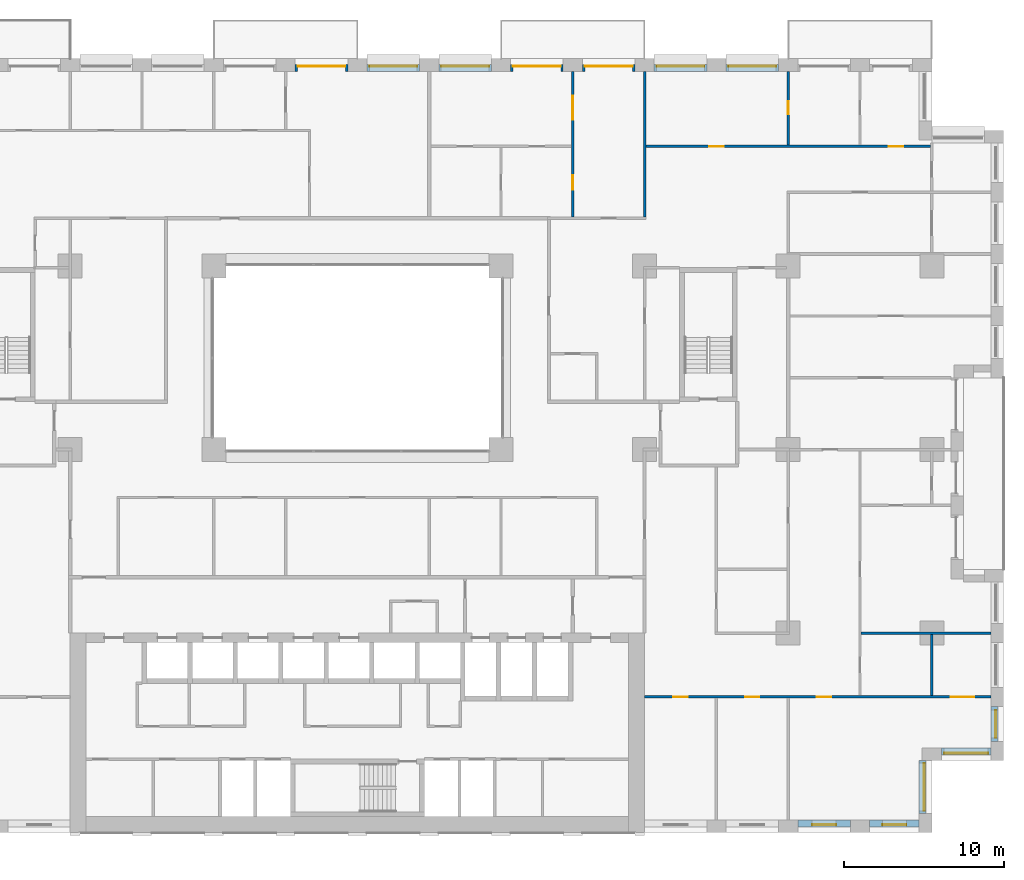
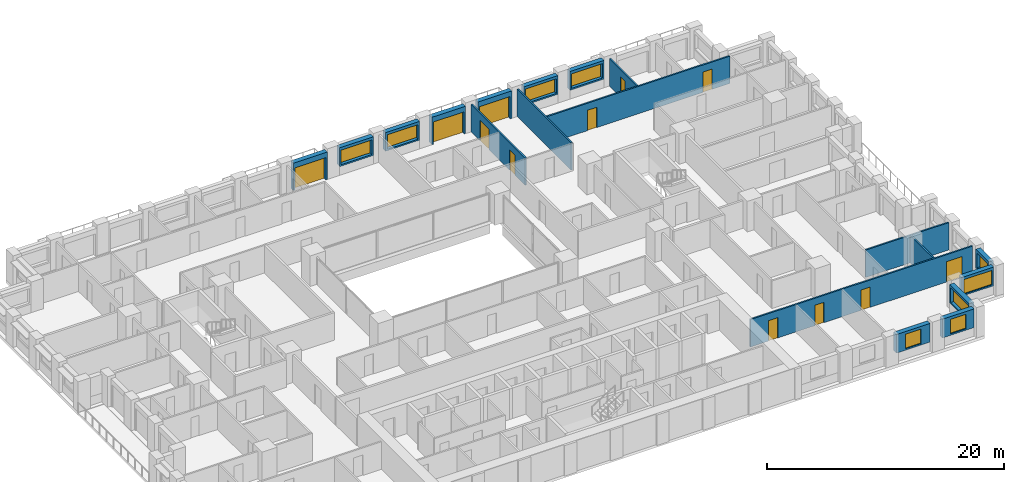
# One storey, part 16 of 20: 19 walls, 12 doors, 9 windows, 21 openings.
"""IFC4 building model written with IfcOpenShell, lengths in metres."""

from ifc_helpers import new_model, si_unit, direction, frame, frame_2d, origin, place, context, subcontext, project, spatial, rectangle, extrude, material, layer, layer_set, type_object, element, fill, save


model = new_model("IFC4")

# Units and contexts
model_context = context("Model", 3, precision=1e-05, world=origin(), true_north=direction((0.0, 1.0)))
body_context = subcontext(model_context, "Body", "Model", "MODEL_VIEW")
ifc_project = project(units=[si_unit("LENGTHUNIT", "METRE"), si_unit("AREAUNIT", "SQUARE_METRE"), si_unit("VOLUMEUNIT", "CUBIC_METRE"), si_unit("PLANEANGLEUNIT", "RADIAN"), si_unit("MASSUNIT", "GRAM", prefix="KILO")], contexts=[model_context])

# Site, building, storey
site_placement = place(None, origin())
site = spatial("IfcSite", under=ifc_project, at=site_placement, CompositionType="ELEMENT")
building_placement = place(site_placement, origin())
building = spatial("IfcBuilding", under=site, at=building_placement, Name="Brigalow Station Residences", CompositionType="ELEMENT")
storey_placement = place(building_placement, frame((0.0, 0.0, 38.39990234375)))
storey = spatial("IfcBuildingStorey", under=building, at=storey_placement, Name="L10", CompositionType="ELEMENT", Elevation=38.39990234375)

# Wall, opening, window
ifc_material_1 = material(Name="Clay brick masonry", Category="masonry")
ifc_layer_1 = layer(ifc_material_1, 0.449951171875)
ifc_layer_set_1 = layer_set([ifc_layer_1], Name="BRICK INFILL WALL 450")
wall_type_1 = type_object("IfcWallType", Name="BRICK INFILL WALL 450", PredefinedType="SOLIDWALL", material=ifc_layer_set_1)
wall_1_placement = place(storey_placement, frame((63.60009765625, 0.574951171875, 0.900146484375), z_axis=(0.0, 0.0, 1.0), x_axis=(1.0, 0.0, 0.0)))
wall_1 = element("IfcWall", 1, at=wall_1_placement, inside=storey, type_object=wall_type_1, Name="L10/ewall/W-L10-7", PredefinedType="SOLIDWALL", context=body_context, shape_type="SweptSolid", body=[
    extrude(rectangle(XDim=3.2998046875, YDim=0.449951171875, at=frame_2d((1.64990234375, 0.0))), origin(), (0.0, 0.0, 1.0), 1.929931640625),
])
opening_1_placement = place(wall_1_placement, frame((0.89990234375, 0.0, 0.14990234375)))
opening_1 = element("IfcOpeningElement", 2, at=opening_1_placement, cuts=wall_1, Name="Opening WT-1", PredefinedType="OPENING", context=body_context, shape_type="SweptSolid", body=[
    extrude(rectangle(XDim=1.5, YDim=1.5, at=frame_2d((0.75, 0.75))), frame((0.0, 0.23486328125, 0.0), z_axis=(0.0, -1.0, 0.0), x_axis=(1.0, 0.0, 0.0)), (0.0, 0.0, 1.0), 0.469970703125),
])
ifc_material_2 = material(Name="Anodised aluminium frame with double glazing", Category="aluminium")
window_type_1 = type_object("IfcWindowType", Name="WINDOW 1500x1500", PartitioningType="SINGLE_PANEL", PredefinedType="WINDOW", material=ifc_material_2)
window_1_placement = place(opening_1_placement, origin())
window_1 = element("IfcWindow", 3, at=window_1_placement, inside=storey, type_object=window_type_1, Name="L10/window/W-L10-7", OverallHeight=1.5, OverallWidth=1.5, PartitioningType="SINGLE_PANEL", PredefinedType="WINDOW", context=body_context, shape_type="SweptSolid", body=[
    extrude(rectangle(XDim=1.5, YDim=1.5, at=frame_2d((0.75, 0.75))), frame((0.0, -0.06494140625, 0.0), z_axis=(0.0, -1.0, 0.0), x_axis=(1.0, 0.0, 0.0)), (0.0, 0.0, 1.0), 0.06005859375),
])
fill(opening_1, window_1)

wall_2_placement = place(storey_placement, frame((68.10009765625, 0.574951171875, 0.900146484375), z_axis=(0.0, 0.0, 1.0), x_axis=(1.0, 0.0, 0.0)))
wall_2 = element("IfcWall", 4, at=wall_2_placement, inside=storey, type_object=wall_type_1, Name="L10/ewall/W-L10-8", PredefinedType="SOLIDWALL", context=body_context, shape_type="SweptSolid", body=[
    extrude(rectangle(XDim=3.099853515625, YDim=0.449951171875, at=frame_2d((1.5498046875, 0.0))), origin(), (0.0, 0.0, 1.0), 1.929931640625),
])
opening_2_placement = place(wall_2_placement, frame((0.800048828125, 0.0, 0.14990234375)))
opening_2 = element("IfcOpeningElement", 5, at=opening_2_placement, cuts=wall_2, Name="Opening WT-1", PredefinedType="OPENING", context=body_context, shape_type="SweptSolid", body=[
    extrude(rectangle(XDim=1.5, YDim=1.5, at=frame_2d((0.75, 0.75))), frame((0.0, 0.23486328125, 0.0), z_axis=(0.0, -1.0, 0.0), x_axis=(1.0, 0.0, 0.0)), (0.0, 0.0, 1.0), 0.469970703125),
])
window_2_placement = place(opening_2_placement, origin())
window_2 = element("IfcWindow", 6, at=window_2_placement, inside=storey, type_object=window_type_1, Name="L10/window/W-L10-8", OverallHeight=1.5, OverallWidth=1.5, PartitioningType="SINGLE_PANEL", PredefinedType="WINDOW", context=body_context, shape_type="SweptSolid", body=[
    extrude(rectangle(XDim=1.5, YDim=1.5, at=frame_2d((0.75, 0.75))), frame((0.0, -0.06494140625, 0.0), z_axis=(0.0, -1.0, 0.0), x_axis=(1.0, 0.0, 0.0)), (0.0, 0.0, 1.0), 0.06005859375),
])
fill(opening_2, window_2)

wall_3_placement = place(storey_placement, frame((71.425048828125, 1.199951171875, 0.900146484375), z_axis=(0.0, 0.0, 1.0), x_axis=(0.0, 1.0, 0.0)))
wall_3 = element("IfcWall", 7, at=wall_3_placement, inside=storey, type_object=wall_type_1, Name="L10/ewall/W-L10-9", PredefinedType="SOLIDWALL", context=body_context, shape_type="SweptSolid", body=[
    extrude(rectangle(XDim=3.300048828125, YDim=0.449951171875, at=frame_2d((1.64990234375, 0.0))), origin(), (0.0, 0.0, 1.0), 1.929931640625),
])
opening_3_placement = place(wall_3_placement, frame((0.14990234375, 0.0, 0.14990234375)))
opening_3 = element("IfcOpeningElement", 8, at=opening_3_placement, cuts=wall_3, Name="Opening WT-2", PredefinedType="OPENING", context=body_context, shape_type="SweptSolid", body=[
    extrude(rectangle(XDim=3.0, YDim=1.5, at=frame_2d((1.5, 0.75))), frame((0.0, 0.23486328125, 0.0), z_axis=(0.0, -1.0, 0.0), x_axis=(1.0, 0.0, 0.0)), (0.0, 0.0, 1.0), 0.469970703125),
])
ifc_material_3 = material(Name="Anodised aluminium frame with double glazing", Category="aluminium")
window_type_2 = type_object("IfcWindowType", Name="WINDOW 3000x1500", PartitioningType="SINGLE_PANEL", PredefinedType="WINDOW", material=ifc_material_3)
window_3_placement = place(opening_3_placement, origin())
window_3 = element("IfcWindow", 9, at=window_3_placement, inside=storey, type_object=window_type_2, Name="L10/window/W-L10-9", OverallHeight=1.5, OverallWidth=3.0, PartitioningType="SINGLE_PANEL", PredefinedType="WINDOW", context=body_context, shape_type="SweptSolid", body=[
    extrude(rectangle(XDim=3.0, YDim=1.5, at=frame_2d((1.5, 0.75))), frame((0.0, -0.06494140625, 0.0), z_axis=(0.0, -1.0, 0.0), x_axis=(1.0, 0.0, 0.0)), (0.0, 0.0, 1.0), 0.06005859375),
])
fill(opening_3, window_3)

wall_4_placement = place(storey_placement, frame((72.60009765625, 5.074951171875, 0.900146484375), z_axis=(0.0, 0.0, 1.0), x_axis=(1.0, 0.0, 0.0)))
wall_4 = element("IfcWall", 10, at=wall_4_placement, inside=storey, type_object=wall_type_1, Name="L10/ewall/W-L10-10", PredefinedType="SOLIDWALL", context=body_context, shape_type="SweptSolid", body=[
    extrude(rectangle(XDim=3.099853515625, YDim=0.449951171875, at=frame_2d((1.5498046875, 0.0))), origin(), (0.0, 0.0, 1.0), 1.929931640625),
])
opening_4_placement = place(wall_4_placement, frame((0.175048828125, 0.0, 0.14990234375)))
opening_4 = element("IfcOpeningElement", 11, at=opening_4_placement, cuts=wall_4, Name="Opening WT-3", PredefinedType="OPENING", context=body_context, shape_type="SweptSolid", body=[
    extrude(rectangle(XDim=2.75, YDim=1.5, at=frame_2d((1.375, 0.75))), frame((0.0, 0.23486328125, 0.0), z_axis=(0.0, -1.0, 0.0), x_axis=(1.0, 0.0, 0.0)), (0.0, 0.0, 1.0), 0.469970703125),
])
ifc_material_4 = material(Name="Anodised aluminium frame with double glazing", Category="aluminium")
window_type_3 = type_object("IfcWindowType", Name="WINDOW 2750x1500", PartitioningType="SINGLE_PANEL", PredefinedType="WINDOW", material=ifc_material_4)
window_4_placement = place(opening_4_placement, origin())
window_4 = element("IfcWindow", 12, at=window_4_placement, inside=storey, type_object=window_type_3, Name="L10/window/W-L10-10", OverallHeight=1.5, OverallWidth=2.75, PartitioningType="SINGLE_PANEL", PredefinedType="WINDOW", context=body_context, shape_type="SweptSolid", body=[
    extrude(rectangle(XDim=2.75, YDim=1.5, at=frame_2d((1.375, 0.75))), frame((0.0, -0.06494140625, 0.0), z_axis=(0.0, -1.0, 0.0), x_axis=(1.0, 0.0, 0.0)), (0.0, 0.0, 1.0), 0.06005859375),
])
fill(opening_4, window_4)

wall_5_placement = place(storey_placement, frame((75.925048828125, 5.699951171875, 0.900146484375), z_axis=(0.0, 0.0, 1.0), x_axis=(0.0, 1.0, 0.0)))
wall_5 = element("IfcWall", 13, at=wall_5_placement, inside=storey, type_object=wall_type_1, Name="L10/ewall/W-L10-11", PredefinedType="SOLIDWALL", context=body_context, shape_type="SweptSolid", body=[
    extrude(rectangle(XDim=2.199951171875, YDim=0.449951171875, at=frame_2d((1.10009765625, 0.0))), origin(), (0.0, 0.0, 1.0), 1.929931640625),
])
opening_5_placement = place(wall_5_placement, frame((0.22509765625, 0.0, 0.14990234375)))
opening_5 = element("IfcOpeningElement", 14, at=opening_5_placement, cuts=wall_5, Name="Opening WT-4", PredefinedType="OPENING", context=body_context, shape_type="SweptSolid", body=[
    extrude(rectangle(XDim=1.75, YDim=1.5, at=frame_2d((0.875, 0.75))), frame((0.0, 0.23486328125, 0.0), z_axis=(0.0, -1.0, 0.0), x_axis=(1.0, 0.0, 0.0)), (0.0, 0.0, 1.0), 0.469970703125),
])
ifc_material_5 = material(Name="Anodised aluminium frame with double glazing", Category="aluminium")
window_type_4 = type_object("IfcWindowType", Name="WINDOW 1750x1500", PartitioningType="SINGLE_PANEL", PredefinedType="WINDOW", material=ifc_material_5)
window_5_placement = place(opening_5_placement, origin())
window_5 = element("IfcWindow", 15, at=window_5_placement, inside=storey, type_object=window_type_4, Name="L10/window/W-L10-11", OverallHeight=1.5, OverallWidth=1.75, PartitioningType="SINGLE_PANEL", PredefinedType="WINDOW", context=body_context, shape_type="SweptSolid", body=[
    extrude(rectangle(XDim=1.75, YDim=1.5, at=frame_2d((0.875, 0.75))), frame((0.0, -0.06494140625, 0.0), z_axis=(0.0, -1.0, 0.0), x_axis=(1.0, 0.0, 0.0)), (0.0, 0.0, 1.0), 0.06005859375),
])
fill(opening_5, window_5)

wall_6_placement = place(storey_placement, frame((62.39990234375, 47.925048828125, 0.900146484375), z_axis=(0.0, 0.0, 1.0), x_axis=(-1.0, 0.0, 0.0)))
wall_6 = element("IfcWall", 16, at=wall_6_placement, inside=storey, type_object=wall_type_1, Name="L10/ewall/W-L10-27", PredefinedType="SOLIDWALL", context=body_context, shape_type="SweptSolid", body=[
    extrude(rectangle(XDim=3.2998046875, YDim=0.449951171875, at=frame_2d((1.64990234375, 0.0))), origin(), (0.0, 0.0, 1.0), 1.929931640625),
])
opening_6_placement = place(wall_6_placement, frame((0.14990234375, 0.0, 0.14990234375)))
opening_6 = element("IfcOpeningElement", 17, at=opening_6_placement, cuts=wall_6, Name="Opening WT-2", PredefinedType="OPENING", context=body_context, shape_type="SweptSolid", body=[
    extrude(rectangle(XDim=3.0, YDim=1.5, at=frame_2d((1.5, 0.75))), frame((0.0, 0.23486328125, 0.0), z_axis=(0.0, -1.0, 0.0), x_axis=(1.0, 0.0, 0.0)), (0.0, 0.0, 1.0), 0.469970703125),
])
window_6_placement = place(opening_6_placement, origin())
window_6 = element("IfcWindow", 18, at=window_6_placement, inside=storey, type_object=window_type_2, Name="L10/window/W-L10-27", OverallHeight=1.5, OverallWidth=3.0, PartitioningType="SINGLE_PANEL", PredefinedType="WINDOW", context=body_context, shape_type="SweptSolid", body=[
    extrude(rectangle(XDim=3.0, YDim=1.5, at=frame_2d((1.5, 0.75))), frame((0.0, -0.06494140625, 0.0), z_axis=(0.0, -1.0, 0.0), x_axis=(1.0, 0.0, 0.0)), (0.0, 0.0, 1.0), 0.06005859375),
])
fill(opening_6, window_6)

wall_7_placement = place(storey_placement, frame((57.89990234375, 47.925048828125, 0.900146484375), z_axis=(0.0, 0.0, 1.0), x_axis=(-1.0, 0.0, 0.0)))
wall_7 = element("IfcWall", 19, at=wall_7_placement, inside=storey, type_object=wall_type_1, Name="L10/ewall/W-L10-28", PredefinedType="SOLIDWALL", context=body_context, shape_type="SweptSolid", body=[
    extrude(rectangle(XDim=3.2998046875, YDim=0.449951171875, at=frame_2d((1.64990234375, 0.0))), origin(), (0.0, 0.0, 1.0), 1.929931640625),
])
opening_7_placement = place(wall_7_placement, frame((0.14990234375, 0.0, 0.14990234375)))
opening_7 = element("IfcOpeningElement", 20, at=opening_7_placement, cuts=wall_7, Name="Opening WT-2", PredefinedType="OPENING", context=body_context, shape_type="SweptSolid", body=[
    extrude(rectangle(XDim=3.0, YDim=1.5, at=frame_2d((1.5, 0.75))), frame((0.0, 0.23486328125, 0.0), z_axis=(0.0, -1.0, 0.0), x_axis=(1.0, 0.0, 0.0)), (0.0, 0.0, 1.0), 0.469970703125),
])
window_7_placement = place(opening_7_placement, origin())
window_7 = element("IfcWindow", 21, at=window_7_placement, inside=storey, type_object=window_type_2, Name="L10/window/W-L10-28", OverallHeight=1.5, OverallWidth=3.0, PartitioningType="SINGLE_PANEL", PredefinedType="WINDOW", context=body_context, shape_type="SweptSolid", body=[
    extrude(rectangle(XDim=3.0, YDim=1.5, at=frame_2d((1.5, 0.75))), frame((0.0, -0.06494140625, 0.0), z_axis=(0.0, -1.0, 0.0), x_axis=(1.0, 0.0, 0.0)), (0.0, 0.0, 1.0), 0.06005859375),
])
fill(opening_7, window_7)

# Wall, opening, door
wall_8_placement = place(storey_placement, frame((53.39990234375, 47.925048828125, 0.0), z_axis=(0.0, 0.0, 1.0), x_axis=(-1.0, 0.0, 0.0)))
wall_8 = element("IfcWall", 22, at=wall_8_placement, inside=storey, type_object=wall_type_1, Name="L10/ewall/W-L10-29", PredefinedType="SOLIDWALL", context=body_context, shape_type="SweptSolid", body=[
    extrude(rectangle(XDim=3.2998046875, YDim=0.449951171875, at=frame_2d((1.64990234375, 0.0))), origin(), (0.0, 0.0, 1.0), 2.830078125),
])
opening_8_placement = place(wall_8_placement, frame((0.14990234375, 0.0, 0.0)))
opening_8 = element("IfcOpeningElement", 23, at=opening_8_placement, cuts=wall_8, Name="Opening D-B3000", PredefinedType="OPENING", context=body_context, shape_type="SweptSolid", body=[
    extrude(rectangle(XDim=3.0, YDim=2.300048828125, at=frame_2d((1.5, 1.14990234375))), frame((0.0, 0.23486328125, 0.0), z_axis=(0.0, -1.0, 0.0), x_axis=(1.0, 0.0, 0.0)), (0.0, 0.0, 1.0), 0.469970703125),
])
ifc_material_6 = material(Name="Anodised aluminium frame with double glazing", Category="aluminium")
door_type_1 = type_object("IfcDoorType", Name="BALCONY SLIDING DOOR 3000x2300", OperationType="SLIDING_TO_LEFT", PredefinedType="DOOR", material=ifc_material_6)
door_1_placement = place(opening_8_placement, origin())
door_1 = element("IfcDoor", 24, at=door_1_placement, inside=storey, type_object=door_type_1, Name="L10/balcony-door/W-L10-29", OperationType="SLIDING_TO_LEFT", OverallHeight=2.300048828125, OverallWidth=3.0, PredefinedType="DOOR", context=body_context, shape_type="SweptSolid", body=[
    extrude(rectangle(XDim=3.0, YDim=2.300048828125, at=frame_2d((1.5, 1.14990234375))), frame((0.0, -0.06982421875, 0.0), z_axis=(0.0, -1.0, 0.0), x_axis=(1.0, 0.0, 0.0)), (0.0, 0.0, 1.0), 0.050048828125),
])
fill(opening_8, door_1)

wall_9_placement = place(storey_placement, frame((48.89990234375, 47.925048828125, 0.0), z_axis=(0.0, 0.0, 1.0), x_axis=(-1.0, 0.0, 0.0)))
wall_9 = element("IfcWall", 25, at=wall_9_placement, inside=storey, type_object=wall_type_1, Name="L10/ewall/W-L10-30", PredefinedType="SOLIDWALL", context=body_context, shape_type="SweptSolid", body=[
    extrude(rectangle(XDim=3.2998046875, YDim=0.449951171875, at=frame_2d((1.64990234375, 0.0))), origin(), (0.0, 0.0, 1.0), 2.830078125),
])
opening_9_placement = place(wall_9_placement, frame((0.14990234375, 0.0, 0.0)))
opening_9 = element("IfcOpeningElement", 26, at=opening_9_placement, cuts=wall_9, Name="Opening D-B3000", PredefinedType="OPENING", context=body_context, shape_type="SweptSolid", body=[
    extrude(rectangle(XDim=3.0, YDim=2.300048828125, at=frame_2d((1.5, 1.14990234375))), frame((0.0, 0.23486328125, 0.0), z_axis=(0.0, -1.0, 0.0), x_axis=(1.0, 0.0, 0.0)), (0.0, 0.0, 1.0), 0.469970703125),
])
door_2_placement = place(opening_9_placement, origin())
door_2 = element("IfcDoor", 27, at=door_2_placement, inside=storey, type_object=door_type_1, Name="L10/balcony-door/W-L10-30", OperationType="SLIDING_TO_LEFT", OverallHeight=2.300048828125, OverallWidth=3.0, PredefinedType="DOOR", context=body_context, shape_type="SweptSolid", body=[
    extrude(rectangle(XDim=3.0, YDim=2.300048828125, at=frame_2d((1.5, 1.14990234375))), frame((0.0, -0.06982421875, 0.0), z_axis=(0.0, -1.0, 0.0), x_axis=(1.0, 0.0, 0.0)), (0.0, 0.0, 1.0), 0.050048828125),
])
fill(opening_9, door_2)

# Wall, opening, window
wall_10_placement = place(storey_placement, frame((44.39990234375, 47.925048828125, 0.900146484375), z_axis=(0.0, 0.0, 1.0), x_axis=(-1.0, 0.0, 0.0)))
wall_10 = element("IfcWall", 28, at=wall_10_placement, inside=storey, type_object=wall_type_1, Name="L10/ewall/W-L10-31", PredefinedType="SOLIDWALL", context=body_context, shape_type="SweptSolid", body=[
    extrude(rectangle(XDim=3.2998046875, YDim=0.449951171875, at=frame_2d((1.64990234375, 0.0))), origin(), (0.0, 0.0, 1.0), 1.929931640625),
])
opening_10_placement = place(wall_10_placement, frame((0.14990234375, 0.0, 0.14990234375)))
opening_10 = element("IfcOpeningElement", 29, at=opening_10_placement, cuts=wall_10, Name="Opening WT-2", PredefinedType="OPENING", context=body_context, shape_type="SweptSolid", body=[
    extrude(rectangle(XDim=3.0, YDim=1.5, at=frame_2d((1.5, 0.75))), frame((0.0, 0.23486328125, 0.0), z_axis=(0.0, -1.0, 0.0), x_axis=(1.0, 0.0, 0.0)), (0.0, 0.0, 1.0), 0.469970703125),
])
window_8_placement = place(opening_10_placement, origin())
window_8 = element("IfcWindow", 30, at=window_8_placement, inside=storey, type_object=window_type_2, Name="L10/window/W-L10-31", OverallHeight=1.5, OverallWidth=3.0, PartitioningType="SINGLE_PANEL", PredefinedType="WINDOW", context=body_context, shape_type="SweptSolid", body=[
    extrude(rectangle(XDim=3.0, YDim=1.5, at=frame_2d((1.5, 0.75))), frame((0.0, -0.06494140625, 0.0), z_axis=(0.0, -1.0, 0.0), x_axis=(1.0, 0.0, 0.0)), (0.0, 0.0, 1.0), 0.06005859375),
])
fill(opening_10, window_8)

wall_11_placement = place(storey_placement, frame((39.89990234375, 47.925048828125, 0.900146484375), z_axis=(0.0, 0.0, 1.0), x_axis=(-1.0, 0.0, 0.0)))
wall_11 = element("IfcWall", 31, at=wall_11_placement, inside=storey, type_object=wall_type_1, Name="L10/ewall/W-L10-32", PredefinedType="SOLIDWALL", context=body_context, shape_type="SweptSolid", body=[
    extrude(rectangle(XDim=3.2998046875, YDim=0.449951171875, at=frame_2d((1.64990234375, 0.0))), origin(), (0.0, 0.0, 1.0), 1.929931640625),
])
opening_11_placement = place(wall_11_placement, frame((0.14990234375, 0.0, 0.14990234375)))
opening_11 = element("IfcOpeningElement", 32, at=opening_11_placement, cuts=wall_11, Name="Opening WT-2", PredefinedType="OPENING", context=body_context, shape_type="SweptSolid", body=[
    extrude(rectangle(XDim=3.0, YDim=1.5, at=frame_2d((1.5, 0.75))), frame((0.0, 0.23486328125, 0.0), z_axis=(0.0, -1.0, 0.0), x_axis=(1.0, 0.0, 0.0)), (0.0, 0.0, 1.0), 0.469970703125),
])
window_9_placement = place(opening_11_placement, origin())
window_9 = element("IfcWindow", 33, at=window_9_placement, inside=storey, type_object=window_type_2, Name="L10/window/W-L10-32", OverallHeight=1.5, OverallWidth=3.0, PartitioningType="SINGLE_PANEL", PredefinedType="WINDOW", context=body_context, shape_type="SweptSolid", body=[
    extrude(rectangle(XDim=3.0, YDim=1.5, at=frame_2d((1.5, 0.75))), frame((0.0, -0.06494140625, 0.0), z_axis=(0.0, -1.0, 0.0), x_axis=(1.0, 0.0, 0.0)), (0.0, 0.0, 1.0), 0.06005859375),
])
fill(opening_11, window_9)

# Wall, opening, door
wall_12_placement = place(storey_placement, frame((35.39990234375, 47.925048828125, 0.0), z_axis=(0.0, 0.0, 1.0), x_axis=(-1.0, 0.0, 0.0)))
wall_12 = element("IfcWall", 34, at=wall_12_placement, inside=storey, type_object=wall_type_1, Name="L10/ewall/W-L10-33", PredefinedType="SOLIDWALL", context=body_context, shape_type="SweptSolid", body=[
    extrude(rectangle(XDim=3.2998046875, YDim=0.449951171875, at=frame_2d((1.64990234375, 0.0))), origin(), (0.0, 0.0, 1.0), 2.830078125),
])
opening_12_placement = place(wall_12_placement, frame((0.14990234375, 0.0, 0.0)))
opening_12 = element("IfcOpeningElement", 35, at=opening_12_placement, cuts=wall_12, Name="Opening D-B3000", PredefinedType="OPENING", context=body_context, shape_type="SweptSolid", body=[
    extrude(rectangle(XDim=3.0, YDim=2.300048828125, at=frame_2d((1.5, 1.14990234375))), frame((0.0, 0.23486328125, 0.0), z_axis=(0.0, -1.0, 0.0), x_axis=(1.0, 0.0, 0.0)), (0.0, 0.0, 1.0), 0.469970703125),
])
door_3_placement = place(opening_12_placement, origin())
door_3 = element("IfcDoor", 36, at=door_3_placement, inside=storey, type_object=door_type_1, Name="L10/balcony-door/W-L10-33", OperationType="SLIDING_TO_LEFT", OverallHeight=2.300048828125, OverallWidth=3.0, PredefinedType="DOOR", context=body_context, shape_type="SweptSolid", body=[
    extrude(rectangle(XDim=3.0, YDim=2.300048828125, at=frame_2d((1.5, 1.14990234375))), frame((0.0, -0.06982421875, 0.0), z_axis=(0.0, -1.0, 0.0), x_axis=(1.0, 0.0, 0.0)), (0.0, 0.0, 1.0), 0.050048828125),
])
fill(opening_12, door_3)

# Wall, openings, doors
ifc_material_7 = material(Name="Plasterboard on steel stud partition", Category="steel")
ifc_layer_2 = layer(ifc_material_7, 0.14990234375)
ifc_layer_set_2 = layer_set([ifc_layer_2], Name="FLAT PARTITION 150")
wall_type_2 = type_object("IfcWallType", Name="FLAT PARTITION 150", PredefinedType="PARTITIONING", material=ifc_layer_set_2)
wall_13_placement = place(storey_placement, frame((54.0, 8.5, 0.0), z_axis=(0.0, 0.0, 1.0), x_axis=(1.0, 0.0, 0.0)))
wall_13 = element("IfcWall", 37, at=wall_13_placement, inside=storey, type_object=wall_type_2, Name="PW-1C13", PredefinedType="PARTITIONING", context=body_context, shape_type="SweptSolid", body=[
    extrude(rectangle(XDim=21.699951171875, YDim=0.14990234375, at=frame_2d((10.85009765625, 0.0))), origin(), (0.0, 0.0, 1.0), 2.830078125),
])
opening_13_placement = place(wall_13_placement, frame((6.300048828125, 0.0, 0.0)))
opening_13 = element("IfcOpeningElement", 38, at=opening_13_placement, cuts=wall_13, Name="Opening D-1C51", PredefinedType="OPENING", context=body_context, shape_type="SweptSolid", body=[
    extrude(rectangle(XDim=0.89990234375, YDim=2.10009765625, at=frame_2d((0.449951171875, 1.050048828125))), frame((0.0, 0.0849609375, 0.0), z_axis=(0.0, -1.0, 0.0), x_axis=(1.0, 0.0, 0.0)), (0.0, 0.0, 1.0), 0.169921875),
])
opening_14_placement = place(wall_13_placement, frame((1.800048828125, 0.0, 0.0)))
opening_14 = element("IfcOpeningElement", 39, at=opening_14_placement, cuts=wall_13, Name="Opening D-1C57", PredefinedType="OPENING", context=body_context, shape_type="SweptSolid", body=[
    extrude(rectangle(XDim=0.89990234375, YDim=2.10009765625, at=frame_2d((0.449951171875, 1.050048828125))), frame((0.0, 0.0849609375, 0.0), z_axis=(0.0, -1.0, 0.0), x_axis=(1.0, 0.0, 0.0)), (0.0, 0.0, 1.0), 0.169921875),
])
opening_15_placement = place(wall_13_placement, frame((10.800048828125, 0.0, 0.0)))
opening_15 = element("IfcOpeningElement", 40, at=opening_15_placement, cuts=wall_13, Name="Opening D-1C58", PredefinedType="OPENING", context=body_context, shape_type="SweptSolid", body=[
    extrude(rectangle(XDim=0.89990234375, YDim=2.10009765625, at=frame_2d((0.449951171875, 1.050048828125))), frame((0.0, 0.0849609375, 0.0), z_axis=(0.0, -1.0, 0.0), x_axis=(1.0, 0.0, 0.0)), (0.0, 0.0, 1.0), 0.169921875),
])
opening_16_placement = place(wall_13_placement, frame((19.175048828125, 0.0, 0.0)))
opening_16 = element("IfcOpeningElement", 41, at=opening_16_placement, cuts=wall_13, Name="Opening D-1C62", PredefinedType="OPENING", context=body_context, shape_type="SweptSolid", body=[
    extrude(rectangle(XDim=1.5, YDim=2.10009765625, at=frame_2d((0.75, 1.050048828125))), frame((0.0, 0.0849609375, 0.0), z_axis=(0.0, -1.0, 0.0), x_axis=(1.0, 0.0, 0.0)), (0.0, 0.0, 1.0), 0.169921875),
])
ifc_material_8 = material(Name="Solid-core timber door leaf", Category="wood")
door_type_2 = type_object("IfcDoorType", Name="INTERNAL DOOR 900 x 2100", OperationType="SINGLE_SWING_LEFT", PredefinedType="DOOR", material=ifc_material_8)
door_4_placement = place(opening_13_placement, frame((0.89990234375, 0.0, 0.0), z_axis=(0.0, 0.0, 1.0), x_axis=(-1.0, 0.0, 0.0)))
door_4 = element("IfcDoor", 42, at=door_4_placement, inside=storey, type_object=door_type_2, Name="D-1C51", OperationType="SINGLE_SWING_LEFT", OverallHeight=2.10009765625, OverallWidth=0.89990234375, PredefinedType="DOOR", context=body_context, shape_type="SweptSolid", body=[
    extrude(rectangle(XDim=0.89990234375, YDim=2.10009765625, at=frame_2d((0.449951171875, 1.050048828125))), frame((0.0, 0.02490234375, 0.0), z_axis=(0.0, -1.0, 0.0), x_axis=(1.0, 0.0, 0.0)), (0.0, 0.0, 1.0), 0.050048828125),
])
fill(opening_13, door_4)
door_5_placement = place(opening_14_placement, frame((0.89990234375, 0.0, 0.0), z_axis=(0.0, 0.0, 1.0), x_axis=(-1.0, 0.0, 0.0)))
door_5 = element("IfcDoor", 43, at=door_5_placement, inside=storey, type_object=door_type_2, Name="D-1C57", OperationType="SINGLE_SWING_LEFT", OverallHeight=2.10009765625, OverallWidth=0.89990234375, PredefinedType="DOOR", context=body_context, shape_type="SweptSolid", body=[
    extrude(rectangle(XDim=0.89990234375, YDim=2.10009765625, at=frame_2d((0.449951171875, 1.050048828125))), frame((0.0, 0.02490234375, 0.0), z_axis=(0.0, -1.0, 0.0), x_axis=(1.0, 0.0, 0.0)), (0.0, 0.0, 1.0), 0.050048828125),
])
fill(opening_14, door_5)
door_6_placement = place(opening_15_placement, frame((0.89990234375, 0.0, 0.0), z_axis=(0.0, 0.0, 1.0), x_axis=(-1.0, 0.0, 0.0)))
door_6 = element("IfcDoor", 44, at=door_6_placement, inside=storey, type_object=door_type_2, Name="D-1C58", OperationType="SINGLE_SWING_RIGHT", OverallHeight=2.10009765625, OverallWidth=0.89990234375, PredefinedType="DOOR", context=body_context, shape_type="SweptSolid", body=[
    extrude(rectangle(XDim=0.89990234375, YDim=2.10009765625, at=frame_2d((0.449951171875, 1.050048828125))), frame((0.0, 0.02490234375, 0.0), z_axis=(0.0, -1.0, 0.0), x_axis=(1.0, 0.0, 0.0)), (0.0, 0.0, 1.0), 0.050048828125),
])
fill(opening_15, door_6)
ifc_material_9 = material(Name="Solid-core timber door leaf", Category="wood")
door_type_3 = type_object("IfcDoorType", Name="INTERNAL DOUBLE DOOR 1500 x 2100", OperationType="DOUBLE_DOOR_SINGLE_SWING", PredefinedType="DOOR", material=ifc_material_9)
door_7_placement = place(opening_16_placement, origin())
door_7 = element("IfcDoor", 45, at=door_7_placement, inside=storey, type_object=door_type_3, Name="D-1C62", OperationType="DOUBLE_DOOR_SINGLE_SWING", OverallHeight=2.10009765625, OverallWidth=1.5, PredefinedType="DOOR", context=body_context, shape_type="SweptSolid", body=[
    extrude(rectangle(XDim=1.5, YDim=2.10009765625, at=frame_2d((0.75, 1.050048828125))), frame((0.0, 0.02490234375, 0.0), z_axis=(0.0, -1.0, 0.0), x_axis=(1.0, 0.0, 0.0)), (0.0, 0.0, 1.0), 0.050048828125),
])
fill(opening_16, door_7)

# Wall
wall_14_placement = place(storey_placement, frame((67.574951171875, 12.5, 0.0), z_axis=(0.0, 0.0, 1.0), x_axis=(1.0, 0.0, 0.0)))
element("IfcWall", 46, at=wall_14_placement, inside=storey, type_object=wall_type_2, Name="PW-1C16", PredefinedType="PARTITIONING", context=body_context, shape_type="SweptSolid", body=[
    extrude(rectangle(XDim=8.125, YDim=0.14990234375, at=frame_2d((4.0625, 0.0))), origin(), (0.0, 0.0, 1.0), 2.830078125),
])

# Wall, openings, doors
wall_15_placement = place(storey_placement, frame((54.074951171875, 43.0, 0.0), z_axis=(0.0, 0.0, 1.0), x_axis=(1.0, 0.0, 0.0)))
wall_15 = element("IfcWall", 47, at=wall_15_placement, inside=storey, type_object=wall_type_2, Name="PW-1C36", PredefinedType="PARTITIONING", context=body_context, shape_type="SweptSolid", body=[
    extrude(rectangle(XDim=17.85009765625, YDim=0.14990234375, at=frame_2d((8.925048828125, 0.0))), origin(), (0.0, 0.0, 1.0), 2.830078125),
])
opening_17_placement = place(wall_15_placement, frame((15.22509765625, 0.0, 0.0)))
opening_17 = element("IfcOpeningElement", 48, at=opening_17_placement, cuts=wall_15, Name="Opening D-1C34", PredefinedType="OPENING", context=body_context, shape_type="SweptSolid", body=[
    extrude(rectangle(XDim=0.89990234375, YDim=2.10009765625, at=frame_2d((0.449951171875, 1.050048828125))), frame((0.0, 0.0849609375, 0.0), z_axis=(0.0, -1.0, 0.0), x_axis=(1.0, 0.0, 0.0)), (0.0, 0.0, 1.0), 0.169921875),
])
opening_18_placement = place(wall_15_placement, frame((3.97509765625, 0.0, 0.0)))
opening_18 = element("IfcOpeningElement", 49, at=opening_18_placement, cuts=wall_15, Name="Opening D-1C40", PredefinedType="OPENING", context=body_context, shape_type="SweptSolid", body=[
    extrude(rectangle(XDim=0.89990234375, YDim=2.10009765625, at=frame_2d((0.449951171875, 1.050048828125))), frame((0.0, 0.0849609375, 0.0), z_axis=(0.0, -1.0, 0.0), x_axis=(1.0, 0.0, 0.0)), (0.0, 0.0, 1.0), 0.169921875),
])
door_8_placement = place(opening_17_placement, origin())
door_8 = element("IfcDoor", 50, at=door_8_placement, inside=storey, type_object=door_type_2, Name="D-1C34", OperationType="SINGLE_SWING_RIGHT", OverallHeight=2.10009765625, OverallWidth=0.89990234375, PredefinedType="DOOR", context=body_context, shape_type="SweptSolid", body=[
    extrude(rectangle(XDim=0.89990234375, YDim=2.10009765625, at=frame_2d((0.449951171875, 1.050048828125))), frame((0.0, 0.02490234375, 0.0), z_axis=(0.0, -1.0, 0.0), x_axis=(1.0, 0.0, 0.0)), (0.0, 0.0, 1.0), 0.050048828125),
])
fill(opening_17, door_8)
door_9_placement = place(opening_18_placement, origin())
door_9 = element("IfcDoor", 51, at=door_9_placement, inside=storey, type_object=door_type_2, Name="D-1C40", OperationType="SINGLE_SWING_RIGHT", OverallHeight=2.10009765625, OverallWidth=0.89990234375, PredefinedType="DOOR", context=body_context, shape_type="SweptSolid", body=[
    extrude(rectangle(XDim=0.89990234375, YDim=2.10009765625, at=frame_2d((0.449951171875, 1.050048828125))), frame((0.0, 0.02490234375, 0.0), z_axis=(0.0, -1.0, 0.0), x_axis=(1.0, 0.0, 0.0)), (0.0, 0.0, 1.0), 0.050048828125),
])
fill(opening_18, door_9)

# Wall
wall_16_placement = place(storey_placement, frame((54.0, 38.574951171875, 0.0), z_axis=(0.0, 0.0, 1.0), x_axis=(0.0, 1.0, 0.0)))
element("IfcWall", 52, at=wall_16_placement, inside=storey, type_object=wall_type_2, Name="PW-1C42", PredefinedType="PARTITIONING", context=body_context, shape_type="SweptSolid", body=[
    extrude(rectangle(XDim=9.125, YDim=0.14990234375, at=frame_2d((4.5625, 0.0))), origin(), (0.0, 0.0, 1.0), 2.830078125),
])

# Wall, opening, door
wall_17_placement = place(storey_placement, frame((63.0, 43.074951171875, 0.0), z_axis=(0.0, 0.0, 1.0), x_axis=(0.0, 1.0, 0.0)))
wall_17 = element("IfcWall", 53, at=wall_17_placement, inside=storey, type_object=wall_type_2, Name="PW-1C72", PredefinedType="PARTITIONING", context=body_context, shape_type="SweptSolid", body=[
    extrude(rectangle(XDim=4.625, YDim=0.14990234375, at=frame_2d((2.3125, 0.0))), origin(), (0.0, 0.0, 1.0), 2.830078125),
])
opening_19_placement = place(wall_17_placement, frame((1.949951171875, 0.0, 0.0)))
opening_19 = element("IfcOpeningElement", 54, at=opening_19_placement, cuts=wall_17, Name="Opening D-1C38", PredefinedType="OPENING", context=body_context, shape_type="SweptSolid", body=[
    extrude(rectangle(XDim=0.800048828125, YDim=2.10009765625, at=frame_2d((0.39990234375, 1.050048828125))), frame((0.0, 0.0849609375, 0.0), z_axis=(0.0, -1.0, 0.0), x_axis=(1.0, 0.0, 0.0)), (0.0, 0.0, 1.0), 0.169921875),
])
ifc_material_10 = material(Name="Solid-core timber door leaf", Category="wood")
door_type_4 = type_object("IfcDoorType", Name="INTERNAL DOOR 800 x 2100", OperationType="SINGLE_SWING_LEFT", PredefinedType="DOOR", material=ifc_material_10)
door_10_placement = place(opening_19_placement, frame((0.800048828125, 0.0, 0.0), z_axis=(0.0, 0.0, 1.0), x_axis=(-1.0, 0.0, 0.0)))
door_10 = element("IfcDoor", 55, at=door_10_placement, inside=storey, type_object=door_type_4, Name="D-1C38", OperationType="SINGLE_SWING_LEFT", OverallHeight=2.10009765625, OverallWidth=0.800048828125, PredefinedType="DOOR", context=body_context, shape_type="SweptSolid", body=[
    extrude(rectangle(XDim=0.800048828125, YDim=2.10009765625, at=frame_2d((0.39990234375, 1.050048828125))), frame((0.0, 0.02490234375, 0.0), z_axis=(0.0, -1.0, 0.0), x_axis=(1.0, 0.0, 0.0)), (0.0, 0.0, 1.0), 0.050048828125),
])
fill(opening_19, door_10)

# Wall
wall_18_placement = place(storey_placement, frame((72.0, 8.574951171875, 0.0), z_axis=(0.0, 0.0, 1.0), x_axis=(0.0, 1.0, 0.0)))
element("IfcWall", 56, at=wall_18_placement, inside=storey, type_object=wall_type_2, Name="PW-1C74", PredefinedType="PARTITIONING", context=body_context, shape_type="SweptSolid", body=[
    extrude(rectangle(XDim=3.85009765625, YDim=0.14990234375, at=frame_2d((1.925048828125, 0.0))), origin(), (0.0, 0.0, 1.0), 2.830078125),
])

# Wall, openings, doors
wall_19_placement = place(storey_placement, frame((49.5, 38.574951171875, 0.0), z_axis=(0.0, 0.0, 1.0), x_axis=(0.0, 1.0, 0.0)))
wall_19 = element("IfcWall", 57, at=wall_19_placement, inside=storey, type_object=wall_type_2, Name="PW-1C78", PredefinedType="PARTITIONING", context=body_context, shape_type="SweptSolid", body=[
    extrude(rectangle(XDim=9.125, YDim=0.14990234375, at=frame_2d((4.5625, 0.0))), origin(), (0.0, 0.0, 1.0), 2.830078125),
])
opening_20_placement = place(wall_19_placement, frame((6.10009765625, 0.0, 0.0)))
opening_20 = element("IfcOpeningElement", 58, at=opening_20_placement, cuts=wall_19, Name="Opening D-1C36", PredefinedType="OPENING", context=body_context, shape_type="SweptSolid", body=[
    extrude(rectangle(XDim=1.5, YDim=2.10009765625, at=frame_2d((0.75, 1.050048828125))), frame((0.0, 0.0849609375, 0.0), z_axis=(0.0, -1.0, 0.0), x_axis=(1.0, 0.0, 0.0)), (0.0, 0.0, 1.0), 0.169921875),
])
opening_21_placement = place(wall_19_placement, frame((1.72509765625, 0.0, 0.0)))
opening_21 = element("IfcOpeningElement", 59, at=opening_21_placement, cuts=wall_19, Name="Opening D-1C47", PredefinedType="OPENING", context=body_context, shape_type="SweptSolid", body=[
    extrude(rectangle(XDim=0.89990234375, YDim=2.10009765625, at=frame_2d((0.449951171875, 1.050048828125))), frame((0.0, 0.0849609375, 0.0), z_axis=(0.0, -1.0, 0.0), x_axis=(1.0, 0.0, 0.0)), (0.0, 0.0, 1.0), 0.169921875),
])
door_11_placement = place(opening_21_placement, origin())
door_11 = element("IfcDoor", 60, at=door_11_placement, inside=storey, type_object=door_type_2, Name="D-1C47", OperationType="SINGLE_SWING_LEFT", OverallHeight=2.10009765625, OverallWidth=0.89990234375, PredefinedType="DOOR", context=body_context, shape_type="SweptSolid", body=[
    extrude(rectangle(XDim=0.89990234375, YDim=2.10009765625, at=frame_2d((0.449951171875, 1.050048828125))), frame((0.0, 0.02490234375, 0.0), z_axis=(0.0, -1.0, 0.0), x_axis=(1.0, 0.0, 0.0)), (0.0, 0.0, 1.0), 0.050048828125),
])
fill(opening_21, door_11)
door_12_placement = place(opening_20_placement, frame((1.5, 0.0, 0.0), z_axis=(0.0, 0.0, 1.0), x_axis=(-1.0, 0.0, 0.0)))
door_12 = element("IfcDoor", 61, at=door_12_placement, inside=storey, type_object=door_type_3, Name="D-1C36", OperationType="DOUBLE_DOOR_SINGLE_SWING", OverallHeight=2.10009765625, OverallWidth=1.5, PredefinedType="DOOR", context=body_context, shape_type="SweptSolid", body=[
    extrude(rectangle(XDim=1.5, YDim=2.10009765625, at=frame_2d((0.75, 1.050048828125))), frame((0.0, 0.02490234375, 0.0), z_axis=(0.0, -1.0, 0.0), x_axis=(1.0, 0.0, 0.0)), (0.0, 0.0, 1.0), 0.050048828125),
])
fill(opening_20, door_12)

save(model, "model.ifc")
